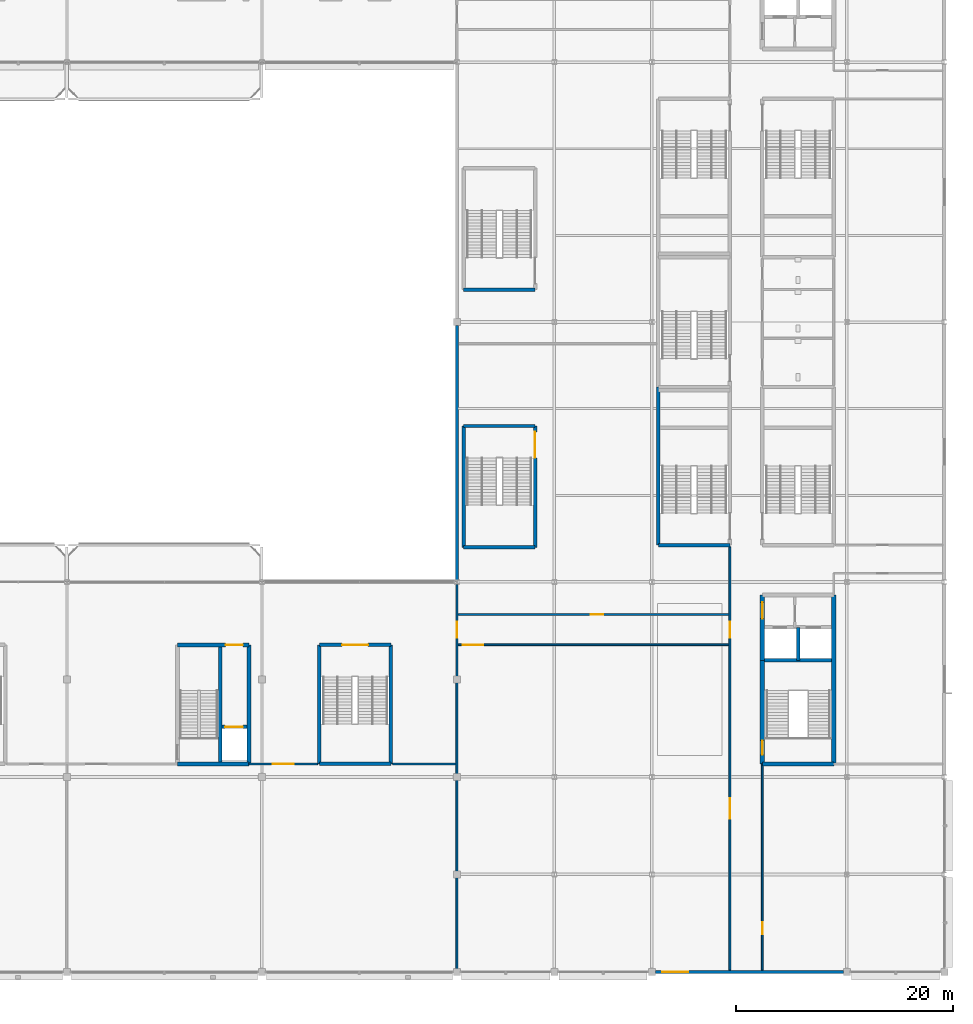
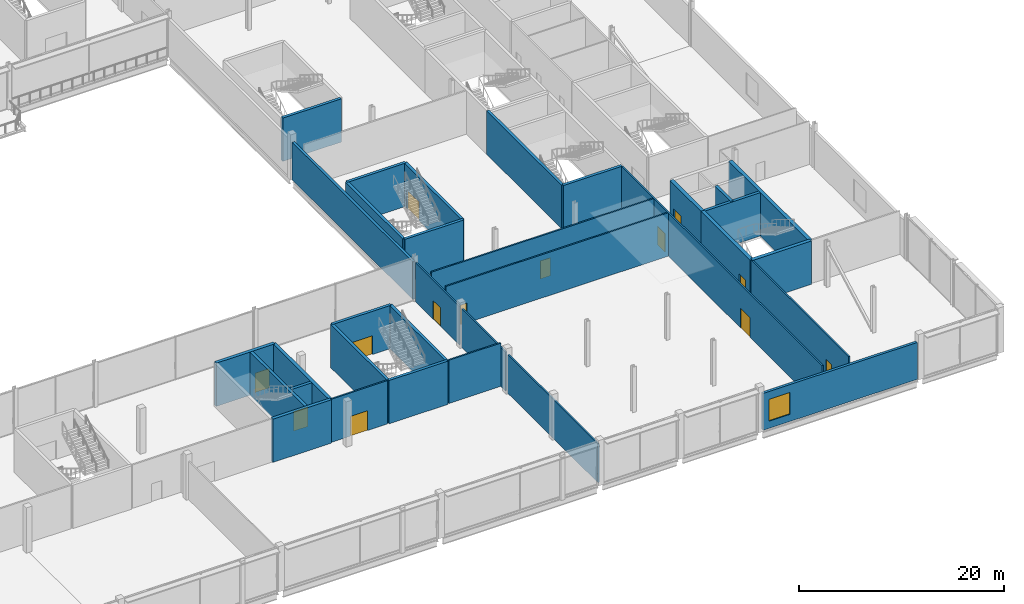
# One storey, part 69 of 113: 33 walls, 13 doors, 1 window, 14 openings.
"""IFC4 building model written with IfcOpenShell, lengths in metres."""

from ifc_helpers import new_model, si_unit, direction, frame, frame_2d, origin, place, context, subcontext, project, spatial, rectangle, extrude, material, layer, layer_set, type_object, element, fill, save


model = new_model("IFC4")

# Units and contexts
model_context = context("Model", 3, precision=1e-05, world=origin(), true_north=direction((0.0, 1.0)))
body_context = subcontext(model_context, "Body", "Model", "MODEL_VIEW")
ifc_project = project(units=[si_unit("LENGTHUNIT", "METRE"), si_unit("AREAUNIT", "SQUARE_METRE"), si_unit("VOLUMEUNIT", "CUBIC_METRE"), si_unit("PLANEANGLEUNIT", "RADIAN"), si_unit("MASSUNIT", "GRAM", prefix="KILO")], contexts=[model_context])

# Site, building, storey
site_placement = place(None, origin())
site = spatial("IfcSite", under=ifc_project, at=site_placement, CompositionType="ELEMENT")
building_placement = place(site_placement, origin())
building = spatial("IfcBuilding", under=site, at=building_placement, Name="Kisiwana Market Hall", CompositionType="ELEMENT")
storey_placement = place(building_placement, frame((0.0, 0.0, 6.0)))
storey = spatial("IfcBuildingStorey", under=building, at=storey_placement, Name="L01", CompositionType="ELEMENT", Elevation=6.0)

# Walls
ifc_material_1 = material(Name="Concrete C40/50", Category="concrete")
ifc_layer_1 = layer(ifc_material_1, 0.320068359375, Name="Reinforced concrete shaft wall")
ifc_layer_set_1 = layer_set([ifc_layer_1], Name="WL-CORE-320")
wall_type_1 = type_object("IfcWallType", Name="WL-CORE-320", PredefinedType="SHEAR", material=ifc_layer_set_1)
wall_1_placement = place(storey_placement, frame((181.39990234375, 28.760009765625, 0.0), z_axis=(0.0, 0.0, 1.0), x_axis=(1.0, 0.0, 0.0)))
element("IfcWall", 1, at=wall_1_placement, inside=storey, type_object=wall_type_1, Name="Core E2 shaft back shear wall W-0695", PredefinedType="SHEAR", context=body_context, shape_type="SweptSolid", body=[
    extrude(rectangle(XDim=6.2001953125, YDim=0.320068359375, at=frame_2d((3.10009765625, 0.0))), origin(), (0.0, 0.0, 1.0), 5.14990234375),
])
wall_2_placement = place(storey_placement, frame((184.5, 28.760009765625, 0.0), z_axis=(0.0, 0.0, 1.0), x_axis=(0.0, 1.0, 0.0)))
element("IfcWall", 2, at=wall_2_placement, inside=storey, type_object=wall_type_1, Name="Core E2 inter-shaft shear wall W-0696", PredefinedType="SHEAR", context=body_context, shape_type="SweptSolid", body=[
    extrude(rectangle(XDim=3.06005859375, YDim=0.320068359375, at=frame_2d((1.530029296875, 0.0))), origin(), (0.0, 0.0, 1.0), 5.14990234375),
])
wall_3_placement = place(storey_placement, frame((131.139892578125, 19.3798828125, 0.0), z_axis=(0.0, 0.0, 1.0), x_axis=(0.0, 1.0, 0.0)))
element("IfcWall", 3, at=wall_3_placement, inside=storey, type_object=wall_type_1, Name="Core S2 shaft divider W-0717", PredefinedType="SHEAR", context=body_context, shape_type="SweptSolid", body=[
    extrude(rectangle(XDim=10.64013671875, YDim=0.320068359375, at=frame_2d((5.320068359375, 0.0))), origin(), (0.0, 0.0, 1.0), 5.14990234375),
])

# Wall, opening, door
wall_4_placement = place(storey_placement, frame((131.300048828125, 22.6298828125, 0.0), z_axis=(0.0, 0.0, 1.0), x_axis=(1.0, 0.0, 0.0)))
wall_4 = element("IfcWall", 4, at=wall_4_placement, inside=storey, type_object=wall_type_1, Name="Core S2 goods lift front wall W-0718", PredefinedType="SHEAR", context=body_context, shape_type="SweptSolid", body=[
    extrude(rectangle(XDim=2.320068359375, YDim=0.320068359375, at=frame_2d((1.16015625, 0.0))), origin(), (0.0, 0.0, 1.0), 5.14990234375),
])
opening_1_placement = place(wall_4_placement, frame((0.300048828125, 0.0, 0.0)))
opening_1 = element("IfcOpeningElement", 5, at=opening_1_placement, cuts=wall_4, Name="Opening LD-L01-009", PredefinedType="OPENING", context=body_context, shape_type="SweptSolid", body=[
    extrude(rectangle(XDim=1.64990234375, YDim=2.35009765625, at=frame_2d((0.824951171875, 1.175048828125))), frame((0.0, 0.171875, 0.0), z_axis=(0.0, -1.0, 0.0), x_axis=(1.0, 0.0, 0.0)), (0.0, 0.0, 1.0), 0.343994140625),
])
ifc_material_2 = material(Name="Steel S275", Category="steel")
door_type_1 = type_object("IfcDoorType", Name="DR-LIFT-GDS-1650", OperationType="DOUBLE_DOOR_SLIDING", PredefinedType="DOOR", material=ifc_material_2)
door_1_placement = place(opening_1_placement, origin())
door_1 = element("IfcDoor", 6, at=door_1_placement, inside=storey, type_object=door_type_1, Name="Lift Landing Door LG-01 (L01)", OperationType="DOUBLE_DOOR_SLIDING", OverallHeight=2.35009765625, OverallWidth=1.64990234375, PredefinedType="DOOR", context=body_context, shape_type="SweptSolid", body=[
    extrude(rectangle(XDim=1.64990234375, YDim=2.35009765625, at=frame_2d((0.824951171875, 1.175048828125))), frame((0.0, 0.02490234375, 0.0), z_axis=(0.0, -1.0, 0.0), x_axis=(1.0, 0.0, 0.0)), (0.0, 0.0, 1.0), 0.050048828125),
])
fill(opening_1, door_1)

# Walls
wall_5_placement = place(storey_placement, frame((171.60009765625, 39.39990234375, 0.0), z_axis=(0.0, 0.0, 1.0), x_axis=(1.0, 0.0, 0.0)))
element("IfcWall", 7, at=wall_5_placement, inside=storey, type_object=wall_type_1, Name="Core E7 south shear wall W-0755", PredefinedType="SHEAR", context=body_context, shape_type="SweptSolid", body=[
    extrude(rectangle(XDim=6.599853515625, YDim=0.320068359375, at=frame_2d((3.2998046875, 0.0))), origin(), (0.0, 0.0, 1.0), 5.14990234375),
])
wall_6_placement = place(storey_placement, frame((171.60009765625, 39.39990234375, 0.0), z_axis=(0.0, 0.0, 1.0), x_axis=(0.0, 1.0, 0.0)))
element("IfcWall", 8, at=wall_6_placement, inside=storey, type_object=wall_type_1, Name="Core E7 outer shear wall W-0757", PredefinedType="SHEAR", context=body_context, shape_type="SweptSolid", body=[
    extrude(rectangle(XDim=14.60009765625, YDim=0.320068359375, at=frame_2d((7.300048828125, 0.0))), origin(), (0.0, 0.0, 1.0), 5.14990234375),
])
for number, where, z_axis, x_axis, name in (
    (9, (153.6298828125, 39.199951171875, 0.0), (0.0, 0.0, 1.0), (1.0, 0.0, 0.0), "Core E9 south shear wall W-0774"),
    (10, (153.6298828125, 50.39990234375, 0.0), (0.0, 0.0, 1.0), (1.0, 0.0, 0.0), "Core E9 north shear wall W-0775"),
):
    element("IfcWall", number, at=place(storey_placement, frame(where, z_axis=z_axis, x_axis=x_axis)), inside=storey, type_object=wall_type_1, Name=name, PredefinedType="SHEAR", context=body_context, shape_type="SweptSolid", body=[
        extrude(rectangle(XDim=6.60009765625, YDim=0.320068359375, at=frame_2d((3.300048828125, 0.0))), origin(), (0.0, 0.0, 1.0), 5.14990234375),
    ])
wall_7_placement = place(storey_placement, frame((153.6298828125, 39.199951171875, 0.0), z_axis=(0.0, 0.0, 1.0), x_axis=(0.0, 1.0, 0.0)))
element("IfcWall", 11, at=wall_7_placement, inside=storey, type_object=wall_type_1, Name="Core E9 outer shear wall W-0776", PredefinedType="SHEAR", context=body_context, shape_type="SweptSolid", body=[
    extrude(rectangle(XDim=11.199951171875, YDim=0.320068359375, at=frame_2d((5.60009765625, 0.0))), origin(), (0.0, 0.0, 1.0), 5.14990234375),
])

# Wall, opening, door
wall_8_placement = place(storey_placement, frame((160.22998046875, 39.199951171875, 0.0), z_axis=(0.0, 0.0, 1.0), x_axis=(0.0, 1.0, 0.0)))
wall_8 = element("IfcWall", 12, at=wall_8_placement, inside=storey, type_object=wall_type_1, Name="Core E9 corridor shear wall W-0777", PredefinedType="SHEAR", context=body_context, shape_type="SweptSolid", body=[
    extrude(rectangle(XDim=11.199951171875, YDim=0.320068359375, at=frame_2d((5.60009765625, 0.0))), origin(), (0.0, 0.0, 1.0), 5.14990234375),
])
opening_2_placement = place(wall_8_placement, frame((8.25, 0.0, 0.0)))
opening_2 = element("IfcOpeningElement", 13, at=opening_2_placement, cuts=wall_8, Name="Opening DR-L01-028", PredefinedType="OPENING", context=body_context, shape_type="SweptSolid", body=[
    extrude(rectangle(XDim=2.39990234375, YDim=2.25, at=frame_2d((1.199951171875, 1.125))), frame((0.0, 0.171875, 0.0), z_axis=(0.0, -1.0, 0.0), x_axis=(1.0, 0.0, 0.0)), (0.0, 0.0, 1.0), 0.343994140625),
])
ifc_material_3 = material(Name="Steel S275", Category="steel")
door_type_2 = type_object("IfcDoorType", Name="DR-STAIR-FD120-2400", OperationType="DOUBLE_DOOR_SINGLE_SWING", PredefinedType="DOOR", material=ifc_material_3)
door_2_placement = place(opening_2_placement, origin())
door_2 = element("IfcDoor", 14, at=door_2_placement, inside=storey, type_object=door_type_2, Name="Escape Stair E9 Fire Door (L01)", OperationType="DOUBLE_DOOR_SINGLE_SWING", OverallHeight=2.25, OverallWidth=2.39990234375, PredefinedType="DOOR", context=body_context, shape_type="SweptSolid", body=[
    extrude(rectangle(XDim=2.39990234375, YDim=2.25, at=frame_2d((1.199951171875, 1.125))), frame((0.0, 0.02490234375, 0.0), z_axis=(0.0, -1.0, 0.0), x_axis=(1.0, 0.0, 0.0)), (0.0, 0.0, 1.0), 0.050048828125),
])
fill(opening_2, door_2)

# Walls
wall_9_placement = place(storey_placement, frame((153.6298828125, 63.0, 0.0), z_axis=(0.0, 0.0, 1.0), x_axis=(1.0, 0.0, 0.0)))
element("IfcWall", 15, at=wall_9_placement, inside=storey, type_object=wall_type_1, Name="Core E10 south shear wall W-0782", PredefinedType="SHEAR", context=body_context, shape_type="SweptSolid", body=[
    extrude(rectangle(XDim=6.60009765625, YDim=0.320068359375, at=frame_2d((3.300048828125, 0.0))), origin(), (0.0, 0.0, 1.0), 5.14990234375),
])
wall_10_placement = place(storey_placement, frame((140.300048828125, 19.199951171875, 0.0), z_axis=(0.0, 0.0, 1.0), x_axis=(1.0, 0.0, 0.0)))
element("IfcWall", 16, at=wall_10_placement, inside=storey, type_object=wall_type_1, Name="Core S6 outer shear wall W-0818", PredefinedType="SHEAR", context=body_context, shape_type="SweptSolid", body=[
    extrude(rectangle(XDim=6.599853515625, YDim=0.320068359375, at=frame_2d((3.2998046875, 0.0))), origin(), (0.0, 0.0, 1.0), 5.14990234375),
])

# Wall, opening, door
wall_11_placement = place(storey_placement, frame((140.300048828125, 30.199951171875, 0.0), z_axis=(0.0, 0.0, 1.0), x_axis=(1.0, 0.0, 0.0)))
wall_11 = element("IfcWall", 17, at=wall_11_placement, inside=storey, type_object=wall_type_1, Name="Core S6 corridor shear wall W-0819", PredefinedType="SHEAR", context=body_context, shape_type="SweptSolid", body=[
    extrude(rectangle(XDim=6.599853515625, YDim=0.320068359375, at=frame_2d((3.2998046875, 0.0))), origin(), (0.0, 0.0, 1.0), 5.14990234375),
])
opening_3_placement = place(wall_11_placement, frame((2.10009765625, 0.0, 0.0)))
opening_3 = element("IfcOpeningElement", 18, at=opening_3_placement, cuts=wall_11, Name="Opening DR-L01-039", PredefinedType="OPENING", context=body_context, shape_type="SweptSolid", body=[
    extrude(rectangle(XDim=2.39990234375, YDim=2.25, at=frame_2d((1.199951171875, 1.125))), frame((0.0, 0.171875, 0.0), z_axis=(0.0, -1.0, 0.0), x_axis=(1.0, 0.0, 0.0)), (0.0, 0.0, 1.0), 0.343994140625),
])
door_3_placement = place(opening_3_placement, frame((2.39990234375, 0.0, 0.0), z_axis=(0.0, 0.0, 1.0), x_axis=(-1.0, 0.0, 0.0)))
door_3 = element("IfcDoor", 19, at=door_3_placement, inside=storey, type_object=door_type_2, Name="Escape Stair S6 Fire Door (L01)", OperationType="DOUBLE_DOOR_SINGLE_SWING", OverallHeight=2.25, OverallWidth=2.39990234375, PredefinedType="DOOR", context=body_context, shape_type="SweptSolid", body=[
    extrude(rectangle(XDim=2.39990234375, YDim=2.25, at=frame_2d((1.199951171875, 1.125))), frame((0.0, 0.02490234375, 0.0), z_axis=(0.0, -1.0, 0.0), x_axis=(1.0, 0.0, 0.0)), (0.0, 0.0, 1.0), 0.050048828125),
])
fill(opening_3, door_3)

# Walls
for number, where, z_axis, x_axis, name in (
    (20, (140.300048828125, 19.199951171875, 0.0), (0.0, 0.0, 1.0), (0.0, 1.0, 0.0), "Core S6 west shear wall W-0820"),
    (21, (146.89990234375, 19.199951171875, 0.0), (0.0, 0.0, 1.0), (0.0, 1.0, 0.0), "Core S6 east shear wall W-0821"),
):
    element("IfcWall", number, at=place(storey_placement, frame(where, z_axis=z_axis, x_axis=x_axis)), inside=storey, type_object=wall_type_1, Name=name, PredefinedType="SHEAR", context=body_context, shape_type="SweptSolid", body=[
        extrude(rectangle(XDim=11.0, YDim=0.320068359375, at=frame_2d((5.5, 0.0))), origin(), (0.0, 0.0, 1.0), 5.14990234375),
    ])
ifc_material_4 = material(Name="Concrete C40/50", Category="concrete")
ifc_layer_2 = layer(ifc_material_4, 0.360107421875, Name="Reinforced concrete core wall")
ifc_layer_set_2 = layer_set([ifc_layer_2], Name="WL-CORE-360")
wall_type_2 = type_object("IfcWallType", Name="WL-CORE-360", PredefinedType="SHEAR", material=ifc_layer_set_2)
wall_12_placement = place(storey_placement, frame((127.199951171875, 19.199951171875, 0.0), z_axis=(0.0, 0.0, 1.0), x_axis=(1.0, 0.0, 0.0)))
element("IfcWall", 22, at=wall_12_placement, inside=storey, type_object=wall_type_2, Name="Core S2 south wall W-0713", PredefinedType="SHEAR", context=body_context, shape_type="SweptSolid", body=[
    extrude(rectangle(XDim=6.60009765625, YDim=0.360107421875, at=frame_2d((3.300048828125, 0.0))), origin(), (0.0, 0.0, 1.0), 5.14990234375),
])

# Wall, opening, door
wall_13_placement = place(storey_placement, frame((127.199951171875, 30.199951171875, 0.0), z_axis=(0.0, 0.0, 1.0), x_axis=(1.0, 0.0, 0.0)))
wall_13 = element("IfcWall", 23, at=wall_13_placement, inside=storey, type_object=wall_type_2, Name="Core S2 north wall W-0714", PredefinedType="SHEAR", context=body_context, shape_type="SweptSolid", body=[
    extrude(rectangle(XDim=6.60009765625, YDim=0.360107421875, at=frame_2d((3.300048828125, 0.0))), origin(), (0.0, 0.0, 1.0), 5.14990234375),
])
opening_4_placement = place(wall_13_placement, frame((4.449951171875, 0.0, 0.0)))
opening_4 = element("IfcOpeningElement", 24, at=opening_4_placement, cuts=wall_13, Name="Opening DR-L01-015", PredefinedType="OPENING", context=body_context, shape_type="SweptSolid", body=[
    extrude(rectangle(XDim=1.60009765625, YDim=2.300048828125, at=frame_2d((0.800048828125, 1.14990234375))), frame((0.0, 0.19189453125, 0.0), z_axis=(0.0, -1.0, 0.0), x_axis=(1.0, 0.0, 0.0)), (0.0, 0.0, 1.0), 0.384033203125),
])
ifc_material_5 = material(Name="Steel S275", Category="steel")
door_type_3 = type_object("IfcDoorType", Name="DR-PLANT-FD120-1600", OperationType="DOUBLE_DOOR_SINGLE_SWING", PredefinedType="DOOR", material=ifc_material_5)
door_4_placement = place(opening_4_placement, origin())
door_4 = element("IfcDoor", 25, at=door_4_placement, inside=storey, type_object=door_type_3, Name="Goods Lift Lobby S2 Door (L01)", OperationType="DOUBLE_DOOR_SINGLE_SWING", OverallHeight=2.300048828125, OverallWidth=1.60009765625, PredefinedType="DOOR", context=body_context, shape_type="SweptSolid", body=[
    extrude(rectangle(XDim=1.60009765625, YDim=2.300048828125, at=frame_2d((0.800048828125, 1.14990234375))), frame((0.0, 0.02490234375, 0.0), z_axis=(0.0, -1.0, 0.0), x_axis=(1.0, 0.0, 0.0)), (0.0, 0.0, 1.0), 0.050048828125),
])
fill(opening_4, door_4)

# Walls
wall_14_placement = place(storey_placement, frame((133.800048828125, 19.199951171875, 0.0), z_axis=(0.0, 0.0, 1.0), x_axis=(0.0, 1.0, 0.0)))
element("IfcWall", 26, at=wall_14_placement, inside=storey, type_object=wall_type_2, Name="Core S2 east wall W-0716", PredefinedType="SHEAR", context=body_context, shape_type="SweptSolid", body=[
    extrude(rectangle(XDim=11.0, YDim=0.360107421875, at=frame_2d((5.5, 0.0))), origin(), (0.0, 0.0, 1.0), 5.14990234375),
])
ifc_material_6 = material(Name="Concrete C40/50", Category="concrete")
ifc_layer_3 = layer(ifc_material_6, 0.39990234375, Name="Reinforced concrete core wall")
ifc_layer_set_3 = layer_set([ifc_layer_3], Name="WL-CORE-400")
wall_type_3 = type_object("IfcWallType", Name="WL-CORE-400", PredefinedType="SHEAR", material=ifc_layer_set_3)
wall_15_placement = place(storey_placement, frame((181.199951171875, 19.199951171875, 0.0), z_axis=(0.0, 0.0, 1.0), x_axis=(1.0, 0.0, 0.0)))
element("IfcWall", 27, at=wall_15_placement, inside=storey, type_object=wall_type_3, Name="Core E2 south shear wall W-0690", PredefinedType="SHEAR", context=body_context, shape_type="SweptSolid", body=[
    extrude(rectangle(XDim=6.60009765625, YDim=0.39990234375, at=frame_2d((3.300048828125, 0.0))), origin(), (0.0, 0.0, 1.0), 5.14990234375),
])
wall_16_placement = place(storey_placement, frame((187.800048828125, 19.199951171875, 0.0), z_axis=(0.0, 0.0, 1.0), x_axis=(0.0, 1.0, 0.0)))
element("IfcWall", 28, at=wall_16_placement, inside=storey, type_object=wall_type_3, Name="Core E2 outer shear wall W-0692", PredefinedType="SHEAR", context=body_context, shape_type="SweptSolid", body=[
    extrude(rectangle(XDim=15.60009765625, YDim=0.39990234375, at=frame_2d((7.800048828125, 0.0))), origin(), (0.0, 0.0, 1.0), 5.14990234375),
])

# Wall, opening, door
wall_17_placement = place(storey_placement, frame((181.199951171875, 19.199951171875, 0.0), z_axis=(0.0, 0.0, 1.0), x_axis=(0.0, 1.0, 0.0)))
wall_17 = element("IfcWall", 29, at=wall_17_placement, inside=storey, type_object=wall_type_3, Name="Core E2 stair corridor shear wall W-0693", PredefinedType="SHEAR", context=body_context, shape_type="SweptSolid", body=[
    extrude(rectangle(XDim=9.56005859375, YDim=0.39990234375, at=frame_2d((4.780029296875, 0.0))), origin(), (0.0, 0.0, 1.0), 5.14990234375),
])
opening_5_placement = place(wall_17_placement, frame((0.85009765625, 0.0, 0.0)))
opening_5 = element("IfcOpeningElement", 30, at=opening_5_placement, cuts=wall_17, Name="Opening DR-L01-007", PredefinedType="OPENING", context=body_context, shape_type="SweptSolid", body=[
    extrude(rectangle(XDim=1.300048828125, YDim=2.199951171875, at=frame_2d((0.64990234375, 1.10009765625))), frame((0.0, 0.2119140625, 0.0), z_axis=(0.0, -1.0, 0.0), x_axis=(1.0, 0.0, 0.0)), (0.0, 0.0, 1.0), 0.423828125),
])
ifc_material_7 = material(Name="Steel S275", Category="steel")
door_type_4 = type_object("IfcDoorType", Name="DR-STAIR-FD120-1300", OperationType="NOTDEFINED", PredefinedType="DOOR", material=ifc_material_7)
door_5_placement = place(opening_5_placement, frame((1.300048828125, 0.0, 0.0), z_axis=(0.0, 0.0, 1.0), x_axis=(-1.0, 0.0, 0.0)))
door_5 = element("IfcDoor", 31, at=door_5_placement, inside=storey, type_object=door_type_4, Name="Escape Stair E2 Fire Door (L01)", OperationType="SINGLE_SWING_RIGHT", OverallHeight=2.199951171875, OverallWidth=1.300048828125, PredefinedType="DOOR", context=body_context, shape_type="SweptSolid", body=[
    extrude(rectangle(XDim=1.300048828125, YDim=2.199951171875, at=frame_2d((0.64990234375, 1.10009765625))), frame((0.0, 0.02490234375, 0.0), z_axis=(0.0, -1.0, 0.0), x_axis=(1.0, 0.0, 0.0)), (0.0, 0.0, 1.0), 0.050048828125),
])
fill(opening_5, door_5)

wall_18_placement = place(storey_placement, frame((181.199951171875, 28.760009765625, 0.0), z_axis=(0.0, 0.0, 1.0), x_axis=(0.0, 1.0, 0.0)))
wall_18 = element("IfcWall", 32, at=wall_18_placement, inside=storey, type_object=wall_type_3, Name="Core E2 lobby corridor shear wall W-0694", PredefinedType="SHEAR", context=body_context, shape_type="SweptSolid", body=[
    extrude(rectangle(XDim=6.0400390625, YDim=0.39990234375, at=frame_2d((3.02001953125, 0.0))), origin(), (0.0, 0.0, 1.0), 5.14990234375),
])
opening_6_placement = place(wall_18_placement, frame((3.85009765625, 0.0, 0.0)))
opening_6 = element("IfcOpeningElement", 33, at=opening_6_placement, cuts=wall_18, Name="Opening DR-L01-008", PredefinedType="OPENING", context=body_context, shape_type="SweptSolid", body=[
    extrude(rectangle(XDim=1.5, YDim=2.199951171875, at=frame_2d((0.75, 1.10009765625))), frame((0.0, 0.2119140625, 0.0), z_axis=(0.0, -1.0, 0.0), x_axis=(1.0, 0.0, 0.0)), (0.0, 0.0, 1.0), 0.423828125),
])
ifc_material_8 = material(Name="Steel S275", Category="steel")
door_type_5 = type_object("IfcDoorType", Name="DR-CORR-FD60-1500", OperationType="DOUBLE_DOOR_SINGLE_SWING", PredefinedType="DOOR", material=ifc_material_8)
door_6_placement = place(opening_6_placement, origin())
door_6 = element("IfcDoor", 34, at=door_6_placement, inside=storey, type_object=door_type_5, Name="Passenger Lift Lobby E2 Smoke Door (L01)", OperationType="DOUBLE_DOOR_SINGLE_SWING", OverallHeight=2.199951171875, OverallWidth=1.5, PredefinedType="DOOR", context=body_context, shape_type="SweptSolid", body=[
    extrude(rectangle(XDim=1.5, YDim=2.199951171875, at=frame_2d((0.75, 1.10009765625))), frame((0.0, 0.02490234375, 0.0), z_axis=(0.0, -1.0, 0.0), x_axis=(1.0, 0.0, 0.0)), (0.0, 0.0, 1.0), 0.050048828125),
])
fill(opening_6, door_6)

ifc_material_9 = material(Name="Masonry blockwork", Category="masonry")
ifc_layer_4 = layer(ifc_material_9, 0.169921875, Name="Protected corridor partition")
ifc_layer_set_4 = layer_set([ifc_layer_4], Name="WL-CORR-170")
wall_type_4 = type_object("IfcWallType", Name="WL-CORR-170", PredefinedType="PARTITIONING", material=ifc_layer_set_4)
wall_19_placement = place(storey_placement, frame((181.199951171875, 0.157470703125, 0.0), z_axis=(0.0, 0.0, 1.0), x_axis=(0.0, 1.0, 0.0)))
wall_19 = element("IfcWall", 35, at=wall_19_placement, inside=storey, type_object=wall_type_4, Name="Interior partition W-0885", PredefinedType="PARTITIONING", context=body_context, shape_type="SweptSolid", body=[
    extrude(rectangle(XDim=19.04248046875, YDim=0.169921875, at=frame_2d((9.521240234375, 0.0))), origin(), (0.0, 0.0, 1.0), 5.14990234375),
])
opening_7_placement = place(wall_19_placement, frame((3.300048828125, 0.0, 0.0)))
opening_7 = element("IfcOpeningElement", 36, at=opening_7_placement, cuts=wall_19, Name="Opening DR-L01-065", PredefinedType="OPENING", context=body_context, shape_type="SweptSolid", body=[
    extrude(rectangle(XDim=1.14990234375, YDim=2.14990234375, at=frame_2d((0.574951171875, 1.074951171875))), frame((0.0, 0.096923828125, 0.0), z_axis=(0.0, -1.0, 0.0), x_axis=(1.0, 0.0, 0.0)), (0.0, 0.0, 1.0), 0.19384765625),
])
ifc_material_10 = material(Name="Aluminium alloy 6063-T6", Category="aluminium")
door_type_6 = type_object("IfcDoorType", Name="DR-MEET-1150", OperationType="NOTDEFINED", PredefinedType="DOOR", material=ifc_material_10)
door_7_placement = place(opening_7_placement, frame((1.14990234375, 0.0, 0.0), z_axis=(0.0, 0.0, 1.0), x_axis=(-1.0, 0.0, 0.0)))
door_7 = element("IfcDoor", 37, at=door_7_placement, inside=storey, type_object=door_type_6, Name="L01 E Corner Office Suite South Door", OperationType="SINGLE_SWING_RIGHT", OverallHeight=2.14990234375, OverallWidth=1.14990234375, PredefinedType="DOOR", context=body_context, shape_type="SweptSolid", body=[
    extrude(rectangle(XDim=1.14990234375, YDim=2.14990234375, at=frame_2d((0.574951171875, 1.074951171875))), frame((0.0, 0.02490234375, 0.0), z_axis=(0.0, -1.0, 0.0), x_axis=(1.0, 0.0, 0.0)), (0.0, 0.0, 1.0), 0.050048828125),
])
fill(opening_7, door_7)

wall_20_placement = place(storey_placement, frame((153.0849609375, 30.199951171875, 0.0), z_axis=(0.0, 0.0, 1.0), x_axis=(1.0, 0.0, 0.0)))
wall_20 = element("IfcWall", 38, at=wall_20_placement, inside=storey, type_object=wall_type_4, Name="Interior partition W-0887", PredefinedType="PARTITIONING", context=body_context, shape_type="SweptSolid", body=[
    extrude(rectangle(XDim=25.030029296875, YDim=0.169921875, at=frame_2d((12.51513671875, 0.0))), origin(), (0.0, 0.0, 1.0), 5.14990234375),
])
opening_8_placement = place(wall_20_placement, frame((0.449951171875, 0.0, 0.0)))
opening_8 = element("IfcOpeningElement", 39, at=opening_8_placement, cuts=wall_20, Name="Opening DR-L01-067", PredefinedType="OPENING", context=body_context, shape_type="SweptSolid", body=[
    extrude(rectangle(XDim=1.89990234375, YDim=2.35009765625, at=frame_2d((0.949951171875, 1.175048828125))), frame((0.0, 0.096923828125, 0.0), z_axis=(0.0, -1.0, 0.0), x_axis=(1.0, 0.0, 0.0)), (0.0, 0.0, 1.0), 0.19384765625),
])
ifc_material_11 = material(Name="Steel S275", Category="steel")
door_type_7 = type_object("IfcDoorType", Name="DR-HALL-1900", OperationType="DOUBLE_DOOR_SINGLE_SWING", PredefinedType="DOOR", material=ifc_material_11)
door_8_placement = place(opening_8_placement, frame((1.89990234375, 0.0, 0.0), z_axis=(0.0, 0.0, 1.0), x_axis=(-1.0, 0.0, 0.0)))
door_8 = element("IfcDoor", 40, at=door_8_placement, inside=storey, type_object=door_type_7, Name="L01 E Food Court South Dining Hall Exit Door", OperationType="DOUBLE_DOOR_SINGLE_SWING", OverallHeight=2.35009765625, OverallWidth=1.89990234375, PredefinedType="DOOR", context=body_context, shape_type="SweptSolid", body=[
    extrude(rectangle(XDim=1.89990234375, YDim=2.35009765625, at=frame_2d((0.949951171875, 1.175048828125))), frame((0.0, 0.02490234375, 0.0), z_axis=(0.0, -1.0, 0.0), x_axis=(1.0, 0.0, 0.0)), (0.0, 0.0, 1.0), 0.050048828125),
])
fill(opening_8, door_8)

wall_21_placement = place(storey_placement, frame((153.0849609375, 33.0, 0.0), z_axis=(0.0, 0.0, 1.0), x_axis=(1.0, 0.0, 0.0)))
wall_21 = element("IfcWall", 41, at=wall_21_placement, inside=storey, type_object=wall_type_4, Name="Interior partition W-0888", PredefinedType="PARTITIONING", context=body_context, shape_type="SweptSolid", body=[
    extrude(rectangle(XDim=25.030029296875, YDim=0.169921875, at=frame_2d((12.51513671875, 0.0))), origin(), (0.0, 0.0, 1.0), 5.14990234375),
])
opening_9_placement = place(wall_21_placement, frame((12.294921875, 0.0, 0.0)))
opening_9 = element("IfcOpeningElement", 42, at=opening_9_placement, cuts=wall_21, Name="Opening DR-L01-068", PredefinedType="OPENING", context=body_context, shape_type="SweptSolid", body=[
    extrude(rectangle(XDim=1.14990234375, YDim=2.14990234375, at=frame_2d((0.574951171875, 1.074951171875))), frame((0.0, 0.096923828125, 0.0), z_axis=(0.0, -1.0, 0.0), x_axis=(1.0, 0.0, 0.0)), (0.0, 0.0, 1.0), 0.19384765625),
])
door_9_placement = place(opening_9_placement, origin())
door_9 = element("IfcDoor", 43, at=door_9_placement, inside=storey, type_object=door_type_6, Name="L01 E Hawker Culinary Gallery Door", OperationType="SINGLE_SWING_RIGHT", OverallHeight=2.14990234375, OverallWidth=1.14990234375, PredefinedType="DOOR", context=body_context, shape_type="SweptSolid", body=[
    extrude(rectangle(XDim=1.14990234375, YDim=2.14990234375, at=frame_2d((0.574951171875, 1.074951171875))), frame((0.0, 0.02490234375, 0.0), z_axis=(0.0, -1.0, 0.0), x_axis=(1.0, 0.0, 0.0)), (0.0, 0.0, 1.0), 0.050048828125),
])
fill(opening_9, door_9)

# Wall, openings, doors
wall_22_placement = place(storey_placement, frame((178.199951171875, 0.157470703125, 0.0), z_axis=(0.0, 0.0, 1.0), x_axis=(0.0, 1.0, 0.0)))
wall_22 = element("IfcWall", 44, at=wall_22_placement, inside=storey, type_object=wall_type_4, Name="Interior partition W-0892", PredefinedType="PARTITIONING", context=body_context, shape_type="SweptSolid", body=[
    extrude(rectangle(XDim=39.08251953125, YDim=0.169921875, at=frame_2d((19.541259765625, 0.0))), origin(), (0.0, 0.0, 1.0), 5.14990234375),
])
opening_10_placement = place(wall_22_placement, frame((13.991943359375, 0.0, 0.0)))
opening_10 = element("IfcOpeningElement", 45, at=opening_10_placement, cuts=wall_22, Name="Opening DR-L01-069", PredefinedType="OPENING", context=body_context, shape_type="SweptSolid", body=[
    extrude(rectangle(XDim=1.89990234375, YDim=2.35009765625, at=frame_2d((0.949951171875, 1.175048828125))), frame((0.0, 0.096923828125, 0.0), z_axis=(0.0, -1.0, 0.0), x_axis=(1.0, 0.0, 0.0)), (0.0, 0.0, 1.0), 0.19384765625),
])
opening_11_placement = place(wall_22_placement, frame((30.693115234375, 0.0, 0.0)))
opening_11 = element("IfcOpeningElement", 46, at=opening_11_placement, cuts=wall_22, Name="Opening DR-L01-070", PredefinedType="OPENING", context=body_context, shape_type="SweptSolid", body=[
    extrude(rectangle(XDim=1.5, YDim=2.199951171875, at=frame_2d((0.75, 1.10009765625))), frame((0.0, 0.096923828125, 0.0), z_axis=(0.0, -1.0, 0.0), x_axis=(1.0, 0.0, 0.0)), (0.0, 0.0, 1.0), 0.19384765625),
])
door_10_placement = place(opening_11_placement, origin())
door_10 = element("IfcDoor", 47, at=door_10_placement, inside=storey, type_object=door_type_5, Name="L01 E South Mezzanine Link Corridor Door", OperationType="DOUBLE_DOOR_SINGLE_SWING", OverallHeight=2.199951171875, OverallWidth=1.5, PredefinedType="DOOR", context=body_context, shape_type="SweptSolid", body=[
    extrude(rectangle(XDim=1.5, YDim=2.199951171875, at=frame_2d((0.75, 1.10009765625))), frame((0.0, 0.02490234375, 0.0), z_axis=(0.0, -1.0, 0.0), x_axis=(1.0, 0.0, 0.0)), (0.0, 0.0, 1.0), 0.050048828125),
])
fill(opening_11, door_10)
door_11_placement = place(opening_10_placement, origin())
door_11 = element("IfcDoor", 48, at=door_11_placement, inside=storey, type_object=door_type_7, Name="L01 E Food Court South Dining Hall Door", OperationType="DOUBLE_DOOR_SINGLE_SWING", OverallHeight=2.35009765625, OverallWidth=1.89990234375, PredefinedType="DOOR", context=body_context, shape_type="SweptSolid", body=[
    extrude(rectangle(XDim=1.89990234375, YDim=2.35009765625, at=frame_2d((0.949951171875, 1.175048828125))), frame((0.0, 0.02490234375, 0.0), z_axis=(0.0, -1.0, 0.0), x_axis=(1.0, 0.0, 0.0)), (0.0, 0.0, 1.0), 0.050048828125),
])
fill(opening_10, door_11)

# Walls
wall_23_placement = place(storey_placement, frame((153.0, 0.219970703125, 0.0), z_axis=(0.0, 0.0, 1.0), x_axis=(0.0, 1.0, 0.0)))
element("IfcWall", 49, at=wall_23_placement, inside=storey, type_object=wall_type_4, Name="Interior partition W-0894", PredefinedType="PARTITIONING", context=body_context, shape_type="SweptSolid", body=[
    extrude(rectangle(XDim=17.56005859375, YDim=0.169921875, at=frame_2d((8.780029296875, 0.0))), origin(), (0.0, 0.0, 1.0), 4.616943359375),
])
wall_24_placement = place(storey_placement, frame((153.0, 18.219970703125, 0.0), z_axis=(0.0, 0.0, 1.0), x_axis=(0.0, 1.0, 0.0)))
element("IfcWall", 50, at=wall_24_placement, inside=storey, type_object=wall_type_4, Name="Interior partition W-0895", PredefinedType="PARTITIONING", context=body_context, shape_type="SweptSolid", body=[
    extrude(rectangle(XDim=8.56005859375, YDim=0.169921875, at=frame_2d((4.280029296875, 0.0))), origin(), (0.0, 0.0, 1.0), 4.616943359375),
])

# Wall, opening, door
wall_25_placement = place(storey_placement, frame((153.0, 27.219970703125, 0.0), z_axis=(0.0, 0.0, 1.0), x_axis=(0.0, 1.0, 0.0)))
wall_25 = element("IfcWall", 51, at=wall_25_placement, inside=storey, type_object=wall_type_4, Name="Interior partition W-0896", PredefinedType="PARTITIONING", context=body_context, shape_type="SweptSolid", body=[
    extrude(rectangle(XDim=8.56005859375, YDim=0.169921875, at=frame_2d((4.280029296875, 0.0))), origin(), (0.0, 0.0, 1.0), 4.616943359375),
])
opening_12_placement = place(wall_25_placement, frame((3.6298828125, 0.0, 0.0)))
opening_12 = element("IfcOpeningElement", 52, at=opening_12_placement, cuts=wall_25, Name="Opening DR-L01-075", PredefinedType="OPENING", context=body_context, shape_type="SweptSolid", body=[
    extrude(rectangle(XDim=1.5, YDim=2.199951171875, at=frame_2d((0.75, 1.10009765625))), frame((0.0, 0.096923828125, 0.0), z_axis=(0.0, -1.0, 0.0), x_axis=(1.0, 0.0, 0.0)), (0.0, 0.0, 1.0), 0.19384765625),
])
door_12_placement = place(opening_12_placement, origin())
door_12 = element("IfcDoor", 53, at=door_12_placement, inside=storey, type_object=door_type_5, Name="L01 E South Spine Link Door", OperationType="DOUBLE_DOOR_SINGLE_SWING", OverallHeight=2.199951171875, OverallWidth=1.5, PredefinedType="DOOR", context=body_context, shape_type="SweptSolid", body=[
    extrude(rectangle(XDim=1.5, YDim=2.199951171875, at=frame_2d((0.75, 1.10009765625))), frame((0.0, 0.02490234375, 0.0), z_axis=(0.0, -1.0, 0.0), x_axis=(1.0, 0.0, 0.0)), (0.0, 0.0, 1.0), 0.050048828125),
])
fill(opening_12, door_12)

wall_26_placement = place(storey_placement, frame((133.800048828125, 19.199951171875, 0.0), z_axis=(0.0, 0.0, 1.0), x_axis=(1.0, 0.0, 0.0)))
wall_26 = element("IfcWall", 54, at=wall_26_placement, inside=storey, type_object=wall_type_4, Name="Interior partition W-0909", PredefinedType="PARTITIONING", context=body_context, shape_type="SweptSolid", body=[
    extrude(rectangle(XDim=6.33984375, YDim=0.169921875, at=frame_2d((3.169921875, 0.0))), origin(), (0.0, 0.0, 1.0), 5.14990234375),
])
opening_13_placement = place(wall_26_placement, frame((2.219970703125, 0.0, 0.0)))
opening_13 = element("IfcOpeningElement", 55, at=opening_13_placement, cuts=wall_26, Name="Opening DR-L01-082", PredefinedType="OPENING", context=body_context, shape_type="SweptSolid", body=[
    extrude(rectangle(XDim=1.89990234375, YDim=2.35009765625, at=frame_2d((0.949951171875, 1.175048828125))), frame((0.0, 0.096923828125, 0.0), z_axis=(0.0, -1.0, 0.0), x_axis=(1.0, 0.0, 0.0)), (0.0, 0.0, 1.0), 0.19384765625),
])
door_13_placement = place(opening_13_placement, origin())
door_13 = element("IfcDoor", 56, at=door_13_placement, inside=storey, type_object=door_type_7, Name="L01 Food Court SE Hall Door", OperationType="DOUBLE_DOOR_SINGLE_SWING", OverallHeight=2.35009765625, OverallWidth=1.89990234375, PredefinedType="DOOR", context=body_context, shape_type="SweptSolid", body=[
    extrude(rectangle(XDim=1.89990234375, YDim=2.35009765625, at=frame_2d((0.949951171875, 1.175048828125))), frame((0.0, 0.02490234375, 0.0), z_axis=(0.0, -1.0, 0.0), x_axis=(1.0, 0.0, 0.0)), (0.0, 0.0, 1.0), 0.050048828125),
])
fill(opening_13, door_13)

# Wall
wall_27_placement = place(storey_placement, frame((147.06005859375, 19.199951171875, 0.0), z_axis=(0.0, 0.0, 1.0), x_axis=(1.0, 0.0, 0.0)))
element("IfcWall", 57, at=wall_27_placement, inside=storey, type_object=wall_type_4, Name="Interior partition W-0910", PredefinedType="PARTITIONING", context=body_context, shape_type="SweptSolid", body=[
    extrude(rectangle(XDim=5.85498046875, YDim=0.169921875, at=frame_2d((2.927490234375, 0.0))), origin(), (0.0, 0.0, 1.0), 5.14990234375),
])

# Wall, opening, window
ifc_material_12 = material(Name="Masonry blockwork", Category="masonry")
ifc_layer_5 = layer(ifc_material_12, 0.139892578125, Name="Rendered masonry outer leaf")
ifc_material_13 = material(Name="Mineral wool insulation")
ifc_layer_6 = layer(ifc_material_13, 0.074951171875, Name="Mineral wool cavity insulation")
ifc_material_14 = material(Name="Gypsum plasterboard")
ifc_layer_7 = layer(ifc_material_14, 0.074951171875, Name="Calcium silicate inner lining")
ifc_layer_set_5 = layer_set([ifc_layer_5, ifc_layer_6, ifc_layer_7], Name="WL-EXT-MAS-290")
wall_type_5 = type_object("IfcWallType", Name="WL-EXT-MAS-290", PredefinedType="STANDARD", material=ifc_layer_set_5)
wall_28_placement = place(storey_placement, frame((171.31689453125, 0.0, 0.0), z_axis=(0.0, 0.0, 1.0), x_axis=(1.0, 0.0, 0.0)))
wall_28 = element("IfcWall", 58, at=wall_28_placement, inside=storey, type_object=wall_type_5, Name="Exterior wall W-0827", PredefinedType="STANDARD", context=body_context, shape_type="SweptSolid", body=[
    extrude(rectangle(XDim=17.3662109375, YDim=0.2900390625, at=frame_2d((8.68310546875, 0.0))), origin(), (0.0, 0.0, 1.0), 4.3876953125),
])
opening_14_placement = place(wall_28_placement, frame((0.64990234375, 0.0, 0.85009765625)))
opening_14 = element("IfcOpeningElement", 59, at=opening_14_placement, cuts=wall_28, Name="Opening WN-11", PredefinedType="OPENING", context=body_context, shape_type="SweptSolid", body=[
    extrude(rectangle(XDim=2.39990234375, YDim=2.60009765625, at=frame_2d((1.199951171875, 1.300048828125))), frame((0.0, 0.156982421875, 0.0), z_axis=(0.0, -1.0, 0.0), x_axis=(1.0, 0.0, 0.0)), (0.0, 0.0, 1.0), 0.31396484375),
])
ifc_material_15 = material(Name="Double-glazed solar-control low-E IGU", Category="glass")
window_type = type_object("IfcWindowType", Name="WN-POD-2400x2600", PartitioningType="SINGLE_PANEL", PredefinedType="WINDOW", material=ifc_material_15)
window_placement = place(opening_14_placement, origin())
window = element("IfcWindow", 60, at=window_placement, inside=storey, type_object=window_type, Name="Exterior window WN-014", OverallHeight=2.60009765625, OverallWidth=2.39990234375, PartitioningType="SINGLE_PANEL", PredefinedType="WINDOW", context=body_context, shape_type="SweptSolid", body=[
    extrude(rectangle(XDim=2.39990234375, YDim=2.60009765625, at=frame_2d((1.199951171875, 1.300048828125))), frame((0.0, 0.030029296875, 0.0), z_axis=(0.0, -1.0, 0.0), x_axis=(1.0, 0.0, 0.0)), (0.0, 0.0, 1.0), 0.06005859375),
])
fill(opening_14, window)

# Wall
wall_29_placement = place(storey_placement, frame((153.0, 36.198486328125, 0.0), z_axis=(0.0, 0.0, 1.0), x_axis=(0.0, 1.0, 0.0)))
element("IfcWall", 61, at=wall_29_placement, inside=storey, type_object=wall_type_5, Name="Exterior wall W-0836", PredefinedType="STANDARD", context=body_context, shape_type="SweptSolid", body=[
    extrude(rectangle(XDim=23.484619140625, YDim=0.2900390625, at=frame_2d((11.7421875, 0.0))), origin(), (0.0, 0.0, 1.0), 4.466552734375),
])

save(model, "model.ifc")
